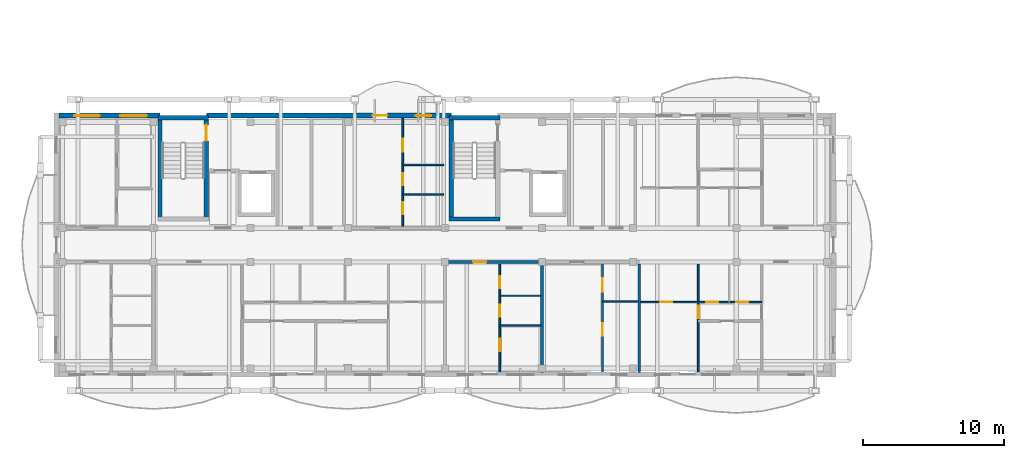
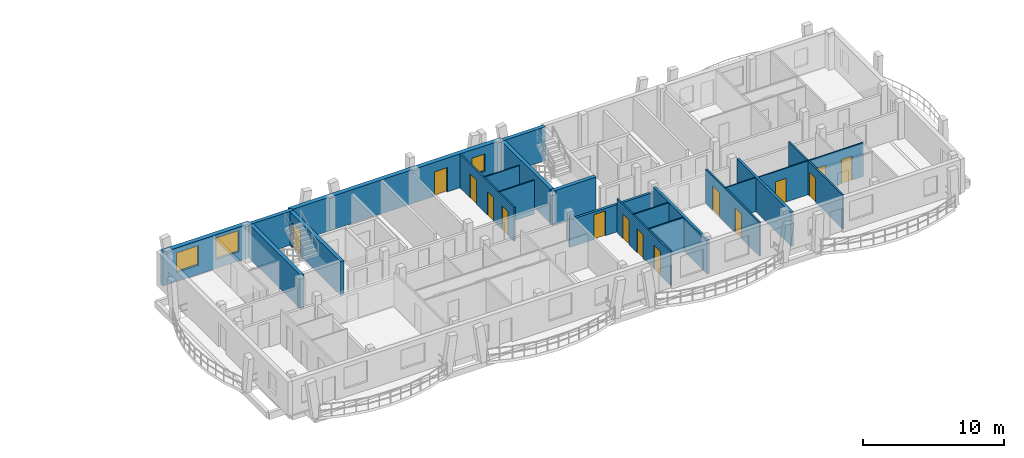
# One storey, part 19 of 52: 21 walls, 15 doors, 3 windows, 18 openings.
"""IFC4 building model written with IfcOpenShell, lengths in metres."""

from ifc_helpers import new_model, si_unit, direction, frame, frame_2d, origin, origin_with_axes, place, context, subcontext, project, spatial, rectangle, extrude, material, layer, layer_set, type_object, element, fill, save


model = new_model("IFC4")

# Units and contexts
model_context = context("Model", 3, precision=1e-05, world=origin(), true_north=direction((0.0, 1.0)))
body_context = subcontext(model_context, "Body", "Model", "MODEL_VIEW")
ifc_project = project(units=[si_unit("LENGTHUNIT", "METRE"), si_unit("AREAUNIT", "SQUARE_METRE"), si_unit("VOLUMEUNIT", "CUBIC_METRE"), si_unit("PLANEANGLEUNIT", "RADIAN"), si_unit("MASSUNIT", "GRAM", prefix="KILO")], contexts=[model_context])

# Site, building, storey
site_placement = place(None, origin())
site = spatial("IfcSite", under=ifc_project, at=site_placement, CompositionType="ELEMENT")
building_placement = place(site_placement, origin())
building = spatial("IfcBuilding", under=site, at=building_placement, Name="Zavelmont Quarter", CompositionType="ELEMENT")
storey_placement = place(building_placement, frame((0.0, 0.0, 14.39990234375)))
storey = spatial("IfcBuildingStorey", under=building, at=storey_placement, Name="L04", CompositionType="ELEMENT", Elevation=14.39990234375)

# Wall, openings, windows
ifc_material_1 = material(Name="Natural Belgian limestone", Category="masonry")
ifc_layer_1 = layer(ifc_material_1, 0.360107421875)
ifc_layer_set_1 = layer_set([ifc_layer_1], Name="Natural Belgian limestone")
wall_type_1 = type_object("IfcWallType", Name="EW02", PredefinedType="STANDARD", material=ifc_layer_set_1)
wall_1_placement = place(storey_placement, frame((0.169921875, 18.39990234375, 0.0), z_axis=(0.0, 0.0, 1.0), x_axis=(1.0, 0.0, 0.0)))
wall_1 = element("IfcWall", 1, at=wall_1_placement, inside=storey, type_object=wall_type_1, Name="L04 exterior limestone wall EW02", PredefinedType="STANDARD", context=body_context, shape_type="SweptSolid", body=[
    extrude(rectangle(XDim=7.18017578125, YDim=0.360107421875, at=frame_2d((3.590087890625, 0.0))), origin(), (0.0, 0.0, 1.0), 2.940185546875),
])
opening_1_placement = place(wall_1_placement, frame((1.10009765625, 0.0, 0.800048828125)))
opening_1 = element("IfcOpeningElement", 2, at=opening_1_placement, cuts=wall_1, Name="Opening WN02", PredefinedType="OPENING", context=body_context, shape_type="SweptSolid", body=[
    extrude(rectangle(XDim=1.800048828125, YDim=1.699951171875, at=frame_2d((0.89990234375, 0.85009765625))), frame((0.0, 0.19189453125, 0.0), z_axis=(0.0, -1.0, 0.0), x_axis=(1.0, 0.0, 0.0)), (0.0, 0.0, 1.0), 0.384033203125),
])
opening_2_placement = place(wall_1_placement, frame((4.35009765625, 0.0, 0.800048828125)))
opening_2 = element("IfcOpeningElement", 3, at=opening_2_placement, cuts=wall_1, Name="Opening WN20", PredefinedType="OPENING", context=body_context, shape_type="SweptSolid", body=[
    extrude(rectangle(XDim=1.89990234375, YDim=1.85009765625, at=frame_2d((0.949951171875, 0.925048828125))), frame((0.0, 0.19189453125, 0.0), z_axis=(0.0, -1.0, 0.0), x_axis=(1.0, 0.0, 0.0)), (0.0, 0.0, 1.0), 0.384033203125),
])
ifc_material_2 = material(Name="Double low-E insulated glazing in thermally broken aluminium frame", Category="aluminium")
window_type_1 = type_object("IfcWindowType", Name="WN02", PartitioningType="SINGLE_PANEL", PredefinedType="WINDOW", material=ifc_material_2)
window_1_placement = place(opening_1_placement, origin_with_axes())
window_1 = element("IfcWindow", 4, at=window_1_placement, inside=storey, type_object=window_type_1, Name="L04 window WN02", OverallHeight=1.699951171875, OverallWidth=1.800048828125, PartitioningType="SINGLE_PANEL", PredefinedType="WINDOW", context=body_context, shape_type="SweptSolid", body=[
    extrude(rectangle(XDim=1.800048828125, YDim=1.699951171875, at=frame_2d((0.89990234375, 0.85009765625))), frame((0.0, 0.030029296875, 0.0), z_axis=(0.0, -1.0, 0.0), x_axis=(1.0, 0.0, 0.0)), (0.0, 0.0, 1.0), 0.06005859375),
])
fill(opening_1, window_1)
window_type_2 = type_object("IfcWindowType", Name="WN20", PartitioningType="SINGLE_PANEL", PredefinedType="WINDOW", material=ifc_material_2)
window_2_placement = place(opening_2_placement, origin_with_axes())
window_2 = element("IfcWindow", 5, at=window_2_placement, inside=storey, type_object=window_type_2, Name="L04 window WN20", OverallHeight=1.85009765625, OverallWidth=1.89990234375, PartitioningType="SINGLE_PANEL", PredefinedType="WINDOW", context=body_context, shape_type="SweptSolid", body=[
    extrude(rectangle(XDim=1.89990234375, YDim=1.85009765625, at=frame_2d((0.949951171875, 0.925048828125))), frame((0.0, 0.030029296875, 0.0), z_axis=(0.0, -1.0, 0.0), x_axis=(1.0, 0.0, 0.0)), (0.0, 0.0, 1.0), 0.06005859375),
])
fill(opening_2, window_2)

# Wall, openings, door, window
wall_2_placement = place(storey_placement, frame((10.64990234375, 18.39990234375, 0.0), z_axis=(0.0, 0.0, 1.0), x_axis=(1.0, 0.0, 0.0)))
wall_2 = element("IfcWall", 6, at=wall_2_placement, inside=storey, type_object=wall_type_1, Name="L04 exterior limestone wall EW02", PredefinedType="STANDARD", context=body_context, shape_type="SweptSolid", body=[
    extrude(rectangle(XDim=17.400146484375, YDim=0.360107421875, at=frame_2d((8.7001953125, 0.0))), origin(), (0.0, 0.0, 1.0), 2.940185546875),
])
opening_3_placement = place(wall_2_placement, frame((11.820068359375, 0.0, 0.0)))
opening_3 = element("IfcOpeningElement", 7, at=opening_3_placement, cuts=wall_2, Name="Opening DR04A", PredefinedType="OPENING", context=body_context, shape_type="SweptSolid", body=[
    extrude(rectangle(XDim=1.050048828125, YDim=2.1201171875, at=frame_2d((0.52490234375, 1.06005859375))), frame((0.0, 0.19189453125, 0.0), z_axis=(0.0, -1.0, 0.0), x_axis=(1.0, 0.0, 0.0)), (0.0, 0.0, 1.0), 0.384033203125),
])
opening_4_placement = place(wall_2_placement, frame((14.8701171875, 0.0, 0.719970703125)))
opening_4 = element("IfcOpeningElement", 8, at=opening_4_placement, cuts=wall_2, Name="Opening WN09", PredefinedType="OPENING", context=body_context, shape_type="SweptSolid", body=[
    extrude(rectangle(XDim=1.10009765625, YDim=1.5, at=frame_2d((0.550048828125, 0.75))), frame((0.0, 0.19189453125, 0.0), z_axis=(0.0, -1.0, 0.0), x_axis=(1.0, 0.0, 0.0)), (0.0, 0.0, 1.0), 0.384033203125),
])
ifc_material_3 = material(Name="Thermally broken aluminium and double safety glass", Category="aluminium")
door_type_1 = type_object("IfcDoorType", Name="DR04A", OperationType="NOTDEFINED", PredefinedType="DOOR", material=ifc_material_3)
door_1_placement = place(opening_3_placement, frame((1.050048828125, 0.0, 0.0), z_axis=(0.0, 0.0, 1.0), x_axis=(-1.0, 0.0, 0.0)))
door_1 = element("IfcDoor", 9, at=door_1_placement, inside=storey, type_object=door_type_1, Name="Block A L04 glazed balcony door", OperationType="SINGLE_SWING_LEFT", OverallHeight=2.1201171875, OverallWidth=1.050048828125, PredefinedType="DOOR", context=body_context, shape_type="SweptSolid", body=[
    extrude(rectangle(XDim=1.050048828125, YDim=2.1201171875, at=frame_2d((0.52490234375, 1.06005859375))), frame((0.0, 0.02490234375, 0.0), z_axis=(0.0, -1.0, 0.0), x_axis=(1.0, 0.0, 0.0)), (0.0, 0.0, 1.0), 0.050048828125),
])
fill(opening_3, door_1)
window_type_3 = type_object("IfcWindowType", Name="WN09", PartitioningType="SINGLE_PANEL", PredefinedType="WINDOW", material=ifc_material_2)
window_3_placement = place(opening_4_placement, origin_with_axes())
window_3 = element("IfcWindow", 10, at=window_3_placement, inside=storey, type_object=window_type_3, Name="L04 window WN09", OverallHeight=1.5, OverallWidth=1.10009765625, PartitioningType="SINGLE_PANEL", PredefinedType="WINDOW", context=body_context, shape_type="SweptSolid", body=[
    extrude(rectangle(XDim=1.10009765625, YDim=1.5, at=frame_2d((0.550048828125, 0.75))), frame((0.0, 0.030029296875, 0.0), z_axis=(0.0, -1.0, 0.0), x_axis=(1.0, 0.0, 0.0)), (0.0, 0.0, 1.0), 0.06005859375),
])
fill(opening_4, window_3)

# Wall
ifc_material_4 = material(Name="Calcium-silicate blockwork and acoustic plaster", Category="masonry")
ifc_layer_2 = layer(ifc_material_4, 0.199951171875)
ifc_layer_set_2 = layer_set([ifc_layer_2], Name="Calcium-silicate blockwork and acoustic plaster")
wall_type_2 = type_object("IfcWallType", Name="IW01", PredefinedType="PARTITIONING", material=ifc_layer_set_2)
wall_3_placement = place(storey_placement, frame((34.5, 7.85009765625, 0.0), z_axis=(0.0, 0.0, 1.0), x_axis=(0.0, -1.0, 0.0)))
element("IfcWall", 11, at=wall_3_placement, inside=storey, type_object=wall_type_2, Name="L04 Inter-dwelling compartment wall IW01", PredefinedType="PARTITIONING", context=body_context, shape_type="SweptSolid", body=[
    extrude(rectangle(XDim=7.7001953125, YDim=0.199951171875, at=frame_2d((3.85009765625, 0.0))), origin(), (0.0, 0.0, 1.0), 2.940185546875),
])

# Wall, opening, door
wall_4_placement = place(storey_placement, frame((27.60009765625, 8.0, 0.0), z_axis=(0.0, 0.0, 1.0), x_axis=(1.0, 0.0, 0.0)))
wall_4 = element("IfcWall", 12, at=wall_4_placement, inside=storey, type_object=wall_type_2, Name="L04 Corridor compartment wall IW01", PredefinedType="PARTITIONING", context=body_context, shape_type="SweptSolid", body=[
    extrude(rectangle(XDim=6.89990234375, YDim=0.199951171875, at=frame_2d((3.449951171875, 0.0))), origin(), (0.0, 0.0, 1.0), 2.380126953125),
])
opening_5_placement = place(wall_4_placement, frame((2.0, 0.0, 0.0)))
opening_5 = element("IfcOpeningElement", 13, at=opening_5_placement, cuts=wall_4, Name="Opening DR02", PredefinedType="OPENING", context=body_context, shape_type="SweptSolid", body=[
    extrude(rectangle(XDim=0.949951171875, YDim=2.14990234375, at=frame_2d((0.47509765625, 1.074951171875))), frame((0.0, 0.11181640625, 0.0), z_axis=(0.0, -1.0, 0.0), x_axis=(1.0, 0.0, 0.0)), (0.0, 0.0, 1.0), 0.223876953125),
])
ifc_material_5 = material(Name="Solid-core oak fire leaf in steel frame", Category="steel")
door_type_2 = type_object("IfcDoorType", Name="DR02", OperationType="NOTDEFINED", PredefinedType="DOOR", material=ifc_material_5)
door_2_placement = place(opening_5_placement, frame((0.949951171875, 0.0, 0.0), z_axis=(0.0, 0.0, 1.0), x_axis=(-1.0, 0.0, 0.0)))
door_2 = element("IfcDoor", 14, at=door_2_placement, inside=storey, type_object=door_type_2, Name="L04 door DR02", OperationType="SINGLE_SWING_RIGHT", OverallHeight=2.14990234375, OverallWidth=0.949951171875, PredefinedType="DOOR", context=body_context, shape_type="SweptSolid", body=[
    extrude(rectangle(XDim=0.949951171875, YDim=2.14990234375, at=frame_2d((0.47509765625, 1.074951171875))), frame((0.0, 0.02490234375, 0.0), z_axis=(0.0, -1.0, 0.0), x_axis=(1.0, 0.0, 0.0)), (0.0, 0.0, 1.0), 0.050048828125),
])
fill(opening_5, door_2)

# Wall
wall_5_placement = place(storey_placement, frame((41.39990234375, 7.85009765625, 0.0), z_axis=(0.0, 0.0, 1.0), x_axis=(0.0, -1.0, 0.0)))
element("IfcWall", 15, at=wall_5_placement, inside=storey, type_object=wall_type_2, Name="L04 Inter-dwelling compartment wall IW01", PredefinedType="PARTITIONING", context=body_context, shape_type="SweptSolid", body=[
    extrude(rectangle(XDim=7.7001953125, YDim=0.199951171875, at=frame_2d((3.85009765625, 0.0))), origin(), (0.0, 0.0, 1.0), 2.940185546875),
])

# Wall, openings, doors
ifc_material_6 = material(Name="Double gypsum board on acoustic steel stud", Category="steel")
ifc_layer_3 = layer(ifc_material_6, 0.125)
ifc_layer_set_3 = layer_set([ifc_layer_3], Name="Double gypsum board on acoustic steel stud")
wall_type_3 = type_object("IfcWallType", Name="IW03", PredefinedType="PARTITIONING", material=ifc_layer_set_3)
wall_6_placement = place(storey_placement, frame((31.5, 7.85009765625, 0.0), z_axis=(0.0, 0.0, 1.0), x_axis=(0.0, -1.0, 0.0)))
wall_6 = element("IfcWall", 16, at=wall_6_placement, inside=storey, type_object=wall_type_3, Name="L04 Partition IW03", PredefinedType="PARTITIONING", context=body_context, shape_type="SweptSolid", body=[
    extrude(rectangle(XDim=7.650146484375, YDim=0.125, at=frame_2d((3.8251953125, 0.0))), origin(), (0.0, 0.0, 1.0), 2.940185546875),
])
opening_6_placement = place(wall_6_placement, frame((0.85009765625, 0.0, 0.0)))
opening_6 = element("IfcOpeningElement", 17, at=opening_6_placement, cuts=wall_6, Name="Opening DR16", PredefinedType="OPENING", context=body_context, shape_type="SweptSolid", body=[
    extrude(rectangle(XDim=0.85009765625, YDim=2.10009765625, at=frame_2d((0.425048828125, 1.050048828125))), frame((0.0, 0.074462890625, 0.0), z_axis=(0.0, -1.0, 0.0), x_axis=(1.0, 0.0, 0.0)), (0.0, 0.0, 1.0), 0.14892578125),
])
opening_7_placement = place(wall_6_placement, frame((2.89990234375, 0.0, 0.0)))
opening_7 = element("IfcOpeningElement", 18, at=opening_7_placement, cuts=wall_6, Name="Opening DR06", PredefinedType="OPENING", context=body_context, shape_type="SweptSolid", body=[
    extrude(rectangle(XDim=0.85009765625, YDim=2.050048828125, at=frame_2d((0.425048828125, 1.02490234375))), frame((0.0, 0.074462890625, 0.0), z_axis=(0.0, -1.0, 0.0), x_axis=(1.0, 0.0, 0.0)), (0.0, 0.0, 1.0), 0.14892578125),
])
opening_8_placement = place(wall_6_placement, frame((5.300048828125, 0.0, 0.0)))
opening_8 = element("IfcOpeningElement", 19, at=opening_8_placement, cuts=wall_6, Name="Opening DR05", PredefinedType="OPENING", context=body_context, shape_type="SweptSolid", body=[
    extrude(rectangle(XDim=0.89990234375, YDim=2.10009765625, at=frame_2d((0.449951171875, 1.050048828125))), frame((0.0, 0.074462890625, 0.0), z_axis=(0.0, -1.0, 0.0), x_axis=(1.0, 0.0, 0.0)), (0.0, 0.0, 1.0), 0.14892578125),
])
ifc_material_7 = material(Name="Engineered oak flush interior door")
door_type_3 = type_object("IfcDoorType", Name="DR05", OperationType="NOTDEFINED", PredefinedType="DOOR", material=ifc_material_7)
door_3_placement = place(opening_8_placement, frame((0.89990234375, 0.0, 0.0), z_axis=(0.0, 0.0, 1.0), x_axis=(-1.0, 0.0, 0.0)))
door_3 = element("IfcDoor", 20, at=door_3_placement, inside=storey, type_object=door_type_3, Name="L04 door DR05", OperationType="SINGLE_SWING_RIGHT", OverallHeight=2.10009765625, OverallWidth=0.89990234375, PredefinedType="DOOR", context=body_context, shape_type="SweptSolid", body=[
    extrude(rectangle(XDim=0.89990234375, YDim=2.10009765625, at=frame_2d((0.449951171875, 1.050048828125))), frame((0.0, 0.02490234375, 0.0), z_axis=(0.0, -1.0, 0.0), x_axis=(1.0, 0.0, 0.0)), (0.0, 0.0, 1.0), 0.050048828125),
])
fill(opening_8, door_3)
ifc_material_8 = material(Name="Moisture-resistant painted wet-room door")
door_type_4 = type_object("IfcDoorType", Name="DR06", OperationType="NOTDEFINED", PredefinedType="DOOR", material=ifc_material_8)
door_4_placement = place(opening_7_placement, origin_with_axes())
door_4 = element("IfcDoor", 21, at=door_4_placement, inside=storey, type_object=door_type_4, Name="L04 door DR06", OperationType="SINGLE_SWING_LEFT", OverallHeight=2.050048828125, OverallWidth=0.85009765625, PredefinedType="DOOR", context=body_context, shape_type="SweptSolid", body=[
    extrude(rectangle(XDim=0.85009765625, YDim=2.050048828125, at=frame_2d((0.425048828125, 1.02490234375))), frame((0.0, 0.02490234375, 0.0), z_axis=(0.0, -1.0, 0.0), x_axis=(1.0, 0.0, 0.0)), (0.0, 0.0, 1.0), 0.050048828125),
])
fill(opening_7, door_4)
door_type_5 = type_object("IfcDoorType", Name="DR16", OperationType="NOTDEFINED", PredefinedType="DOOR", material=ifc_material_7)
door_5_placement = place(opening_6_placement, frame((0.85009765625, 0.0, 0.0), z_axis=(0.0, 0.0, 1.0), x_axis=(-1.0, 0.0, 0.0)))
door_5 = element("IfcDoor", 22, at=door_5_placement, inside=storey, type_object=door_type_5, Name="L04 door DR16", OperationType="SINGLE_SWING_RIGHT", OverallHeight=2.10009765625, OverallWidth=0.85009765625, PredefinedType="DOOR", context=body_context, shape_type="SweptSolid", body=[
    extrude(rectangle(XDim=0.85009765625, YDim=2.10009765625, at=frame_2d((0.425048828125, 1.050048828125))), frame((0.0, 0.02490234375, 0.0), z_axis=(0.0, -1.0, 0.0), x_axis=(1.0, 0.0, 0.0)), (0.0, 0.0, 1.0), 0.050048828125),
])
fill(opening_6, door_5)

wall_7_placement = place(storey_placement, frame((38.800048828125, 7.85009765625, 0.0), z_axis=(0.0, 0.0, 1.0), x_axis=(0.0, -1.0, 0.0)))
wall_7 = element("IfcWall", 23, at=wall_7_placement, inside=storey, type_object=wall_type_3, Name="L04 Partition IW03", PredefinedType="PARTITIONING", context=body_context, shape_type="SweptSolid", body=[
    extrude(rectangle(XDim=7.650146484375, YDim=0.125, at=frame_2d((3.8251953125, 0.0))), origin(), (0.0, 0.0, 1.0), 2.940185546875),
])
opening_9_placement = place(wall_7_placement, frame((1.0, 0.0, 0.0)))
opening_9 = element("IfcOpeningElement", 24, at=opening_9_placement, cuts=wall_7, Name="Opening DR17", PredefinedType="OPENING", context=body_context, shape_type="SweptSolid", body=[
    extrude(rectangle(XDim=0.949951171875, YDim=2.10009765625, at=frame_2d((0.47509765625, 1.050048828125))), frame((0.0, 0.074462890625, 0.0), z_axis=(0.0, -1.0, 0.0), x_axis=(1.0, 0.0, 0.0)), (0.0, 0.0, 1.0), 0.14892578125),
])
opening_10_placement = place(wall_7_placement, frame((4.199951171875, 0.0, 0.0)))
opening_10 = element("IfcOpeningElement", 25, at=opening_10_placement, cuts=wall_7, Name="Opening DR05", PredefinedType="OPENING", context=body_context, shape_type="SweptSolid", body=[
    extrude(rectangle(XDim=0.89990234375, YDim=2.10009765625, at=frame_2d((0.449951171875, 1.050048828125))), frame((0.0, 0.074462890625, 0.0), z_axis=(0.0, -1.0, 0.0), x_axis=(1.0, 0.0, 0.0)), (0.0, 0.0, 1.0), 0.14892578125),
])
door_6_placement = place(opening_10_placement, origin_with_axes())
door_6 = element("IfcDoor", 26, at=door_6_placement, inside=storey, type_object=door_type_3, Name="L04 door DR05", OperationType="SINGLE_SWING_RIGHT", OverallHeight=2.10009765625, OverallWidth=0.89990234375, PredefinedType="DOOR", context=body_context, shape_type="SweptSolid", body=[
    extrude(rectangle(XDim=0.89990234375, YDim=2.10009765625, at=frame_2d((0.449951171875, 1.050048828125))), frame((0.0, 0.02490234375, 0.0), z_axis=(0.0, -1.0, 0.0), x_axis=(1.0, 0.0, 0.0)), (0.0, 0.0, 1.0), 0.050048828125),
])
fill(opening_10, door_6)
ifc_material_9 = material(Name="Accessible washroom flush door")
door_type_6 = type_object("IfcDoorType", Name="DR17", OperationType="NOTDEFINED", PredefinedType="DOOR", material=ifc_material_9)
door_7_placement = place(opening_9_placement, frame((0.949951171875, 0.0, 0.0), z_axis=(0.0, 0.0, 1.0), x_axis=(-1.0, 0.0, 0.0)))
door_7 = element("IfcDoor", 27, at=door_7_placement, inside=storey, type_object=door_type_6, Name="L04 door DR17", OperationType="SINGLE_SWING_LEFT", OverallHeight=2.10009765625, OverallWidth=0.949951171875, PredefinedType="DOOR", context=body_context, shape_type="SweptSolid", body=[
    extrude(rectangle(XDim=0.949951171875, YDim=2.10009765625, at=frame_2d((0.47509765625, 1.050048828125))), frame((0.0, 0.02490234375, 0.0), z_axis=(0.0, -1.0, 0.0), x_axis=(1.0, 0.0, 0.0)), (0.0, 0.0, 1.0), 0.050048828125),
])
fill(opening_9, door_7)

# Wall, opening, door
wall_8_placement = place(storey_placement, frame((45.60009765625, 7.85009765625, 0.0), z_axis=(0.0, 0.0, 1.0), x_axis=(0.0, -1.0, 0.0)))
wall_8 = element("IfcWall", 28, at=wall_8_placement, inside=storey, type_object=wall_type_3, Name="L04 Partition IW03", PredefinedType="PARTITIONING", context=body_context, shape_type="SweptSolid", body=[
    extrude(rectangle(XDim=7.650146484375, YDim=0.125, at=frame_2d((3.8251953125, 0.0))), origin(), (0.0, 0.0, 1.0), 2.940185546875),
])
opening_11_placement = place(wall_8_placement, frame((2.949951171875, 0.0, 0.0)))
opening_11 = element("IfcOpeningElement", 29, at=opening_11_placement, cuts=wall_8, Name="Opening DR05", PredefinedType="OPENING", context=body_context, shape_type="SweptSolid", body=[
    extrude(rectangle(XDim=0.89990234375, YDim=2.10009765625, at=frame_2d((0.449951171875, 1.050048828125))), frame((0.0, 0.074462890625, 0.0), z_axis=(0.0, -1.0, 0.0), x_axis=(1.0, 0.0, 0.0)), (0.0, 0.0, 1.0), 0.14892578125),
])
door_8_placement = place(opening_11_placement, frame((0.89990234375, 0.0, 0.0), z_axis=(0.0, 0.0, 1.0), x_axis=(-1.0, 0.0, 0.0)))
door_8 = element("IfcDoor", 30, at=door_8_placement, inside=storey, type_object=door_type_3, Name="L04 door DR05", OperationType="SINGLE_SWING_RIGHT", OverallHeight=2.10009765625, OverallWidth=0.89990234375, PredefinedType="DOOR", context=body_context, shape_type="SweptSolid", body=[
    extrude(rectangle(XDim=0.89990234375, YDim=2.10009765625, at=frame_2d((0.449951171875, 1.050048828125))), frame((0.0, 0.02490234375, 0.0), z_axis=(0.0, -1.0, 0.0), x_axis=(1.0, 0.0, 0.0)), (0.0, 0.0, 1.0), 0.050048828125),
])
fill(opening_11, door_8)

# Wall, openings, doors
wall_9_placement = place(storey_placement, frame((24.60009765625, 10.550048828125, 0.0), z_axis=(0.0, 0.0, 1.0), x_axis=(0.0, 1.0, 0.0)))
wall_9 = element("IfcWall", 31, at=wall_9_placement, inside=storey, type_object=wall_type_3, Name="L04 Partition IW03", PredefinedType="PARTITIONING", context=body_context, shape_type="SweptSolid", body=[
    extrude(rectangle(XDim=7.64990234375, YDim=0.125, at=frame_2d((3.824951171875, 0.0))), origin(), (0.0, 0.0, 1.0), 2.940185546875),
])
opening_12_placement = place(wall_9_placement, frame((0.85009765625, 0.0, 0.0)))
opening_12 = element("IfcOpeningElement", 32, at=opening_12_placement, cuts=wall_9, Name="Opening DR16", PredefinedType="OPENING", context=body_context, shape_type="SweptSolid", body=[
    extrude(rectangle(XDim=0.85009765625, YDim=2.10009765625, at=frame_2d((0.425048828125, 1.050048828125))), frame((0.0, 0.074462890625, 0.0), z_axis=(0.0, -1.0, 0.0), x_axis=(1.0, 0.0, 0.0)), (0.0, 0.0, 1.0), 0.14892578125),
])
opening_13_placement = place(wall_9_placement, frame((2.89990234375, 0.0, 0.0)))
opening_13 = element("IfcOpeningElement", 33, at=opening_13_placement, cuts=wall_9, Name="Opening DR06", PredefinedType="OPENING", context=body_context, shape_type="SweptSolid", body=[
    extrude(rectangle(XDim=0.85009765625, YDim=2.050048828125, at=frame_2d((0.425048828125, 1.02490234375))), frame((0.0, 0.074462890625, 0.0), z_axis=(0.0, -1.0, 0.0), x_axis=(1.0, 0.0, 0.0)), (0.0, 0.0, 1.0), 0.14892578125),
])
opening_14_placement = place(wall_9_placement, frame((5.300048828125, 0.0, 0.0)))
opening_14 = element("IfcOpeningElement", 34, at=opening_14_placement, cuts=wall_9, Name="Opening DR05", PredefinedType="OPENING", context=body_context, shape_type="SweptSolid", body=[
    extrude(rectangle(XDim=0.89990234375, YDim=2.10009765625, at=frame_2d((0.449951171875, 1.050048828125))), frame((0.0, 0.074462890625, 0.0), z_axis=(0.0, -1.0, 0.0), x_axis=(1.0, 0.0, 0.0)), (0.0, 0.0, 1.0), 0.14892578125),
])
door_9_placement = place(opening_14_placement, origin_with_axes())
door_9 = element("IfcDoor", 35, at=door_9_placement, inside=storey, type_object=door_type_3, Name="L04 door DR05", OperationType="SINGLE_SWING_LEFT", OverallHeight=2.10009765625, OverallWidth=0.89990234375, PredefinedType="DOOR", context=body_context, shape_type="SweptSolid", body=[
    extrude(rectangle(XDim=0.89990234375, YDim=2.10009765625, at=frame_2d((0.449951171875, 1.050048828125))), frame((0.0, 0.02490234375, 0.0), z_axis=(0.0, -1.0, 0.0), x_axis=(1.0, 0.0, 0.0)), (0.0, 0.0, 1.0), 0.050048828125),
])
fill(opening_14, door_9)
door_10_placement = place(opening_13_placement, frame((0.85009765625, 0.0, 0.0), z_axis=(0.0, 0.0, 1.0), x_axis=(-1.0, 0.0, 0.0)))
door_10 = element("IfcDoor", 36, at=door_10_placement, inside=storey, type_object=door_type_4, Name="L04 door DR06", OperationType="SINGLE_SWING_RIGHT", OverallHeight=2.050048828125, OverallWidth=0.85009765625, PredefinedType="DOOR", context=body_context, shape_type="SweptSolid", body=[
    extrude(rectangle(XDim=0.85009765625, YDim=2.050048828125, at=frame_2d((0.425048828125, 1.02490234375))), frame((0.0, 0.02490234375, 0.0), z_axis=(0.0, -1.0, 0.0), x_axis=(1.0, 0.0, 0.0)), (0.0, 0.0, 1.0), 0.050048828125),
])
fill(opening_13, door_10)
door_11_placement = place(opening_12_placement, origin_with_axes())
door_11 = element("IfcDoor", 37, at=door_11_placement, inside=storey, type_object=door_type_5, Name="L04 door DR16", OperationType="SINGLE_SWING_LEFT", OverallHeight=2.10009765625, OverallWidth=0.85009765625, PredefinedType="DOOR", context=body_context, shape_type="SweptSolid", body=[
    extrude(rectangle(XDim=0.85009765625, YDim=2.10009765625, at=frame_2d((0.425048828125, 1.050048828125))), frame((0.0, 0.02490234375, 0.0), z_axis=(0.0, -1.0, 0.0), x_axis=(1.0, 0.0, 0.0)), (0.0, 0.0, 1.0), 0.050048828125),
])
fill(opening_12, door_11)

# Walls
ifc_material_10 = material(Name="Moisture-resistant gypsum board on steel stud", Category="steel")
ifc_layer_4 = layer(ifc_material_10, 0.10009765625)
ifc_layer_set_4 = layer_set([ifc_layer_4], Name="Moisture-resistant gypsum board on steel stud")
wall_type_4 = type_object("IfcWallType", Name="IW04", PredefinedType="PARTITIONING", material=ifc_layer_set_4)
for number, where, z_axis, x_axis, name in (
    (38, (31.5, 5.60009765625, 0.0), (0.0, 0.0, 1.0), (1.0, 0.0, 0.0), "L04 Partition IW04"),
    (39, (31.5, 3.5, 0.0), (0.0, 0.0, 1.0), (1.0, 0.0, 0.0), "L04 Partition IW04"),
):
    element("IfcWall", number, at=place(storey_placement, frame(where, z_axis=z_axis, x_axis=x_axis)), inside=storey, type_object=wall_type_4, Name=name, PredefinedType="PARTITIONING", context=body_context, shape_type="SweptSolid", body=[
        extrude(rectangle(XDim=2.89990234375, YDim=0.10009765625, at=frame_2d((1.449951171875, 0.0))), origin(), (0.0, 0.0, 1.0), 2.940185546875),
    ])
wall_10_placement = place(storey_placement, frame((38.800048828125, 5.199951171875, 0.0), z_axis=(0.0, 0.0, 1.0), x_axis=(1.0, 0.0, 0.0)))
element("IfcWall", 40, at=wall_10_placement, inside=storey, type_object=wall_type_4, Name="L04 Partition IW04", PredefinedType="PARTITIONING", context=body_context, shape_type="SweptSolid", body=[
    extrude(rectangle(XDim=2.5, YDim=0.10009765625, at=frame_2d((1.25, 0.0))), origin(), (0.0, 0.0, 1.0), 2.940185546875),
])

# Wall, openings, doors
wall_11_placement = place(storey_placement, frame((41.5, 5.14990234375, 0.0), z_axis=(0.0, 0.0, 1.0), x_axis=(1.0, 0.0, 0.0)))
wall_11 = element("IfcWall", 41, at=wall_11_placement, inside=storey, type_object=wall_type_4, Name="L04 Partition IW04", PredefinedType="PARTITIONING", context=body_context, shape_type="SweptSolid", body=[
    extrude(rectangle(XDim=8.60009765625, YDim=0.10009765625, at=frame_2d((4.300048828125, 0.0))), origin(), (0.0, 0.0, 1.0), 2.940185546875),
])
opening_15_placement = place(wall_11_placement, frame((1.39990234375, 0.0, 0.0)))
opening_15 = element("IfcOpeningElement", 42, at=opening_15_placement, cuts=wall_11, Name="Opening DR06", PredefinedType="OPENING", context=body_context, shape_type="SweptSolid", body=[
    extrude(rectangle(XDim=0.85009765625, YDim=2.050048828125, at=frame_2d((0.425048828125, 1.02490234375))), frame((0.0, 0.06201171875, 0.0), z_axis=(0.0, -1.0, 0.0), x_axis=(1.0, 0.0, 0.0)), (0.0, 0.0, 1.0), 0.1240234375),
])
opening_16_placement = place(wall_11_placement, frame((4.64990234375, 0.0, 0.0)))
opening_16 = element("IfcOpeningElement", 43, at=opening_16_placement, cuts=wall_11, Name="Opening DR06", PredefinedType="OPENING", context=body_context, shape_type="SweptSolid", body=[
    extrude(rectangle(XDim=0.85009765625, YDim=2.050048828125, at=frame_2d((0.425048828125, 1.02490234375))), frame((0.0, 0.06201171875, 0.0), z_axis=(0.0, -1.0, 0.0), x_axis=(1.0, 0.0, 0.0)), (0.0, 0.0, 1.0), 0.1240234375),
])
opening_17_placement = place(wall_11_placement, frame((6.800048828125, 0.0, 0.0)))
opening_17 = element("IfcOpeningElement", 44, at=opening_17_placement, cuts=wall_11, Name="Opening DR16", PredefinedType="OPENING", context=body_context, shape_type="SweptSolid", body=[
    extrude(rectangle(XDim=0.85009765625, YDim=2.10009765625, at=frame_2d((0.425048828125, 1.050048828125))), frame((0.0, 0.06201171875, 0.0), z_axis=(0.0, -1.0, 0.0), x_axis=(1.0, 0.0, 0.0)), (0.0, 0.0, 1.0), 0.1240234375),
])
door_12_placement = place(opening_15_placement, origin_with_axes())
door_12 = element("IfcDoor", 45, at=door_12_placement, inside=storey, type_object=door_type_4, Name="L04 door DR06", OperationType="SINGLE_SWING_LEFT", OverallHeight=2.050048828125, OverallWidth=0.85009765625, PredefinedType="DOOR", context=body_context, shape_type="SweptSolid", body=[
    extrude(rectangle(XDim=0.85009765625, YDim=2.050048828125, at=frame_2d((0.425048828125, 1.02490234375))), frame((0.0, 0.02490234375, 0.0), z_axis=(0.0, -1.0, 0.0), x_axis=(1.0, 0.0, 0.0)), (0.0, 0.0, 1.0), 0.050048828125),
])
fill(opening_15, door_12)
door_13_placement = place(opening_16_placement, frame((0.85009765625, 0.0, 0.0), z_axis=(0.0, 0.0, 1.0), x_axis=(-1.0, 0.0, 0.0)))
door_13 = element("IfcDoor", 46, at=door_13_placement, inside=storey, type_object=door_type_4, Name="L04 door DR06", OperationType="SINGLE_SWING_RIGHT", OverallHeight=2.050048828125, OverallWidth=0.85009765625, PredefinedType="DOOR", context=body_context, shape_type="SweptSolid", body=[
    extrude(rectangle(XDim=0.85009765625, YDim=2.050048828125, at=frame_2d((0.425048828125, 1.02490234375))), frame((0.0, 0.02490234375, 0.0), z_axis=(0.0, -1.0, 0.0), x_axis=(1.0, 0.0, 0.0)), (0.0, 0.0, 1.0), 0.050048828125),
])
fill(opening_16, door_13)
door_14_placement = place(opening_17_placement, origin_with_axes())
door_14 = element("IfcDoor", 47, at=door_14_placement, inside=storey, type_object=door_type_5, Name="L04 door DR16", OperationType="SINGLE_SWING_LEFT", OverallHeight=2.10009765625, OverallWidth=0.85009765625, PredefinedType="DOOR", context=body_context, shape_type="SweptSolid", body=[
    extrude(rectangle(XDim=0.85009765625, YDim=2.10009765625, at=frame_2d((0.425048828125, 1.050048828125))), frame((0.0, 0.02490234375, 0.0), z_axis=(0.0, -1.0, 0.0), x_axis=(1.0, 0.0, 0.0)), (0.0, 0.0, 1.0), 0.050048828125),
])
fill(opening_17, door_14)

# Walls
for number, where, z_axis, x_axis, name in (
    (48, (24.60009765625, 12.800048828125, 0.0), (0.0, 0.0, 1.0), (1.0, 0.0, 0.0), "L04 Partition IW04"),
    (49, (24.60009765625, 14.89990234375, 0.0), (0.0, 0.0, 1.0), (1.0, 0.0, 0.0), "L04 Partition IW04"),
):
    element("IfcWall", number, at=place(storey_placement, frame(where, z_axis=z_axis, x_axis=x_axis)), inside=storey, type_object=wall_type_4, Name=name, PredefinedType="PARTITIONING", context=body_context, shape_type="SweptSolid", body=[
        extrude(rectangle(XDim=2.89990234375, YDim=0.10009765625, at=frame_2d((1.449951171875, 0.0))), origin(), (0.0, 0.0, 1.0), 2.940185546875),
    ])
ifc_material_11 = material(Name="Concrete C40/50", Category="concrete")
ifc_layer_5 = layer(ifc_material_11, 0.300048828125)
ifc_layer_set_5 = layer_set([ifc_layer_5], Name="Concrete C40/50")
wall_type_5 = type_object("IfcWallType", Name="SW01", PredefinedType="SHEAR", material=ifc_layer_set_5)
wall_12_placement = place(storey_placement, frame((7.35009765625, 10.89990234375, 0.0), z_axis=(0.0, 0.0, 1.0), x_axis=(0.0, 1.0, 0.0)))
element("IfcWall", 50, at=wall_12_placement, inside=storey, type_object=wall_type_5, Name="L04 ST01 west shear wall SW01", PredefinedType="SHEAR", context=body_context, shape_type="SweptSolid", body=[
    extrude(rectangle(XDim=7.5, YDim=0.300048828125, at=frame_2d((3.75, 0.0))), origin(), (0.0, 0.0, 1.0), 2.940185546875),
])

# Wall, opening, door
wall_13_placement = place(storey_placement, frame((10.64990234375, 10.89990234375, 0.0), z_axis=(0.0, 0.0, 1.0), x_axis=(0.0, 1.0, 0.0)))
wall_13 = element("IfcWall", 51, at=wall_13_placement, inside=storey, type_object=wall_type_5, Name="L04 ST01 lobby shear wall SW01", PredefinedType="SHEAR", context=body_context, shape_type="SweptSolid", body=[
    extrude(rectangle(XDim=7.5, YDim=0.300048828125, at=frame_2d((3.75, 0.0))), origin(), (0.0, 0.0, 1.0), 2.940185546875),
])
opening_18_placement = place(wall_13_placement, frame((5.699951171875, 0.0, 0.0)))
opening_18 = element("IfcOpeningElement", 52, at=opening_18_placement, cuts=wall_13, Name="Opening DR09", PredefinedType="OPENING", context=body_context, shape_type="SweptSolid", body=[
    extrude(rectangle(XDim=1.14990234375, YDim=2.14990234375, at=frame_2d((0.574951171875, 1.074951171875))), frame((0.0, 0.162109375, 0.0), z_axis=(0.0, -1.0, 0.0), x_axis=(1.0, 0.0, 0.0)), (0.0, 0.0, 1.0), 0.323974609375),
])
ifc_material_12 = material(Name="Painted steel stair-core fire door", Category="steel")
door_type_7 = type_object("IfcDoorType", Name="DR09", OperationType="NOTDEFINED", PredefinedType="DOOR", material=ifc_material_12)
door_15_placement = place(opening_18_placement, origin_with_axes())
door_15 = element("IfcDoor", 53, at=door_15_placement, inside=storey, type_object=door_type_7, Name="ST01 protected stair door", OperationType="SINGLE_SWING_LEFT", OverallHeight=2.14990234375, OverallWidth=1.14990234375, PredefinedType="DOOR", context=body_context, shape_type="SweptSolid", body=[
    extrude(rectangle(XDim=1.14990234375, YDim=2.14990234375, at=frame_2d((0.574951171875, 1.074951171875))), frame((0.0, 0.02490234375, 0.0), z_axis=(0.0, -1.0, 0.0), x_axis=(1.0, 0.0, 0.0)), (0.0, 0.0, 1.0), 0.050048828125),
])
fill(opening_18, door_15)

# Walls
wall_14_placement = place(storey_placement, frame((27.89990234375, 11.050048828125, 0.0), z_axis=(0.0, 0.0, 1.0), x_axis=(1.0, 0.0, 0.0)))
element("IfcWall", 54, at=wall_14_placement, inside=storey, type_object=wall_type_5, Name="L04 ST02 corridor shear wall SW01", PredefinedType="SHEAR", context=body_context, shape_type="SweptSolid", body=[
    extrude(rectangle(XDim=3.60009765625, YDim=0.300048828125, at=frame_2d((1.800048828125, 0.0))), origin(), (0.0, 0.0, 1.0), 2.940185546875),
])
wall_15_placement = place(storey_placement, frame((28.050048828125, 10.89990234375, 0.0), z_axis=(0.0, 0.0, 1.0), x_axis=(0.0, 1.0, 0.0)))
element("IfcWall", 55, at=wall_15_placement, inside=storey, type_object=wall_type_5, Name="L04 ST02 west shear wall SW01", PredefinedType="SHEAR", context=body_context, shape_type="SweptSolid", body=[
    extrude(rectangle(XDim=7.5, YDim=0.300048828125, at=frame_2d((3.75, 0.0))), origin(), (0.0, 0.0, 1.0), 2.940185546875),
])
ifc_layer_6 = layer(ifc_material_11, 0.300048828125)
ifc_layer_set_6 = layer_set([ifc_layer_6], Name="Concrete C40/50")
wall_type_6 = type_object("IfcWallType", Name="SW03", PredefinedType="SHEAR", material=ifc_layer_set_6)
for number, where, z_axis, x_axis, name in (
    (56, (7.199951171875, 18.25, 0.0), (0.0, 0.0, 1.0), (1.0, 0.0, 0.0), "L04 ST01 outer shear wall SW03"),
    (57, (27.89990234375, 18.25, 0.0), (0.0, 0.0, 1.0), (1.0, 0.0, 0.0), "L04 ST02 outer shear wall SW03"),
):
    element("IfcWall", number, at=place(storey_placement, frame(where, z_axis=z_axis, x_axis=x_axis)), inside=storey, type_object=wall_type_6, Name=name, PredefinedType="SHEAR", context=body_context, shape_type="SweptSolid", body=[
        extrude(rectangle(XDim=3.60009765625, YDim=0.300048828125, at=frame_2d((1.800048828125, 0.0))), origin(), (0.0, 0.0, 1.0), 2.940185546875),
    ])

save(model, "model.ifc")
